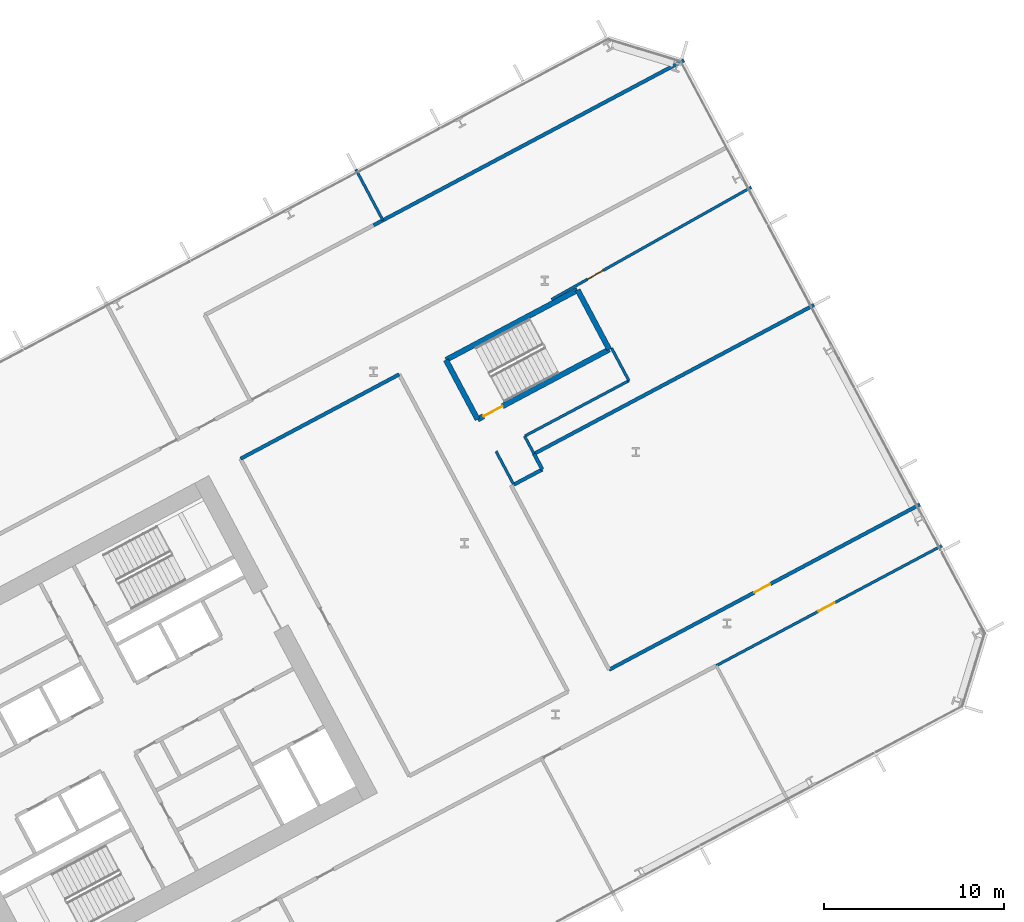
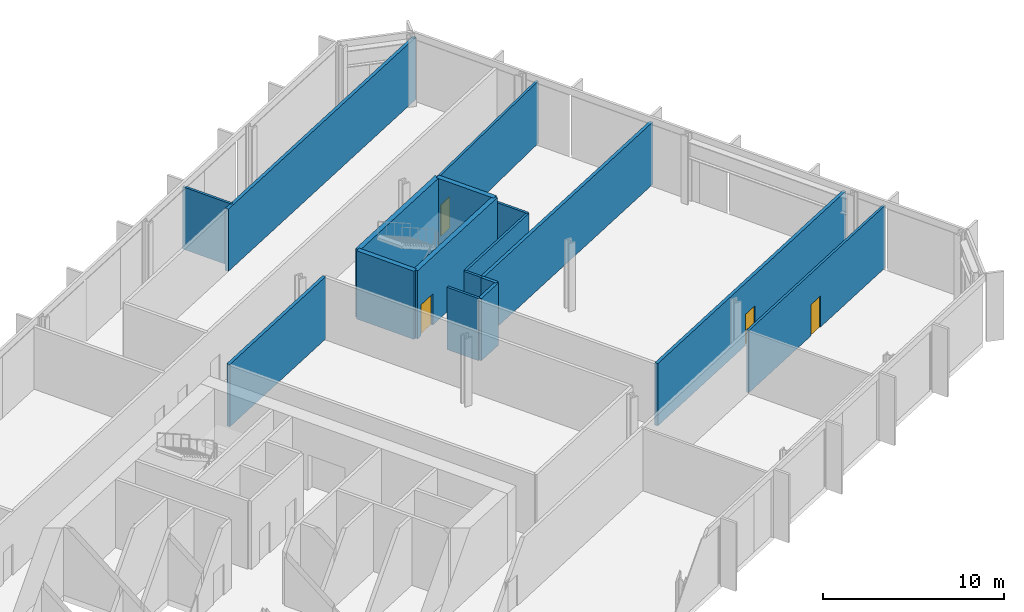
# One storey, part 19 of 31: 17 walls, 4 doors, 4 openings.
"""IFC4 building model written with IfcOpenShell, lengths in metres."""

from ifc_helpers import new_model, si_unit, direction, frame, frame_2d, origin, place, context, subcontext, project, spatial, rectangle, extrude, material, layer, layer_set, type_object, element, fill, save


model = new_model("IFC4")

# Units and contexts
model_context = context("Model", 3, precision=1e-05, world=origin(), true_north=direction((0.0, 1.0)))
body_context = subcontext(model_context, "Body", "Model", "MODEL_VIEW")
ifc_project = project(units=[si_unit("LENGTHUNIT", "METRE"), si_unit("AREAUNIT", "SQUARE_METRE"), si_unit("VOLUMEUNIT", "CUBIC_METRE"), si_unit("PLANEANGLEUNIT", "RADIAN"), si_unit("MASSUNIT", "GRAM", prefix="KILO")], contexts=[model_context])

# Site, building, storey
site_placement = place(None, origin())
site = spatial("IfcSite", under=ifc_project, at=site_placement, CompositionType="ELEMENT")
building_placement = place(site_placement, origin())
building = spatial("IfcBuilding", under=site, at=building_placement, Name="Cormorant Relay Tower", CompositionType="ELEMENT")
storey_placement = place(building_placement, frame((0.0, 0.0, 103.0)))
storey = spatial("IfcBuildingStorey", under=building, at=storey_placement, Name="L20", CompositionType="ELEMENT", Elevation=103.0)

# Walls
ifc_material_1 = material(Name="Fire-rated gypsum board partition")
ifc_layer_1 = layer(ifc_material_1, 0.199951171875)
ifc_layer_set_1 = layer_set([ifc_layer_1], Name="Fire-rated gypsum partition 200")
wall_type_1 = type_object("IfcWallType", Name="Fire-rated gypsum partition 200", PredefinedType="PARTITIONING", material=ifc_layer_set_1)
wall_1_placement = place(storey_placement, frame((38.028076171875, 40.60693359375, 0.0), z_axis=(0.0, 0.0, 1.0), x_axis=(0.882955326711, 0.469457017237, 0.0)))
element("IfcWall", 1, at=wall_1_placement, inside=storey, type_object=wall_type_1, Name="wall/L20/part/40", PredefinedType="PARTITIONING", context=body_context, shape_type="SweptSolid", body=[
    extrude(rectangle(XDim=19.576171875, YDim=0.199951171875, at=frame_2d((9.7880859375, 0.0))), origin(), (0.0, 0.0, 1.0), 4.199951171875),
])
wall_2_placement = place(storey_placement, frame((46.9580078125, 27.881103515625, 0.0), z_axis=(0.0, 0.0, 1.0), x_axis=(0.469300305861, -0.883038630479, 0.0)))
element("IfcWall", 2, at=wall_2_placement, inside=storey, type_object=wall_type_1, Name="wall/L20/part/44", PredefinedType="PARTITIONING", context=body_context, shape_type="SweptSolid", body=[
    extrude(rectangle(XDim=0.984375, YDim=0.199951171875, at=frame_2d((0.4921875, 0.0))), origin(), (0.0, 0.0, 1.0), 4.199951171875),
])
wall_3_placement = place(storey_placement, frame((47.419921875, 27.011962890625, 0.0), z_axis=(0.0, 0.0, 1.0), x_axis=(-0.88313680222, -0.46911553861, 0.0)))
element("IfcWall", 3, at=wall_3_placement, inside=storey, type_object=wall_type_1, Name="wall/L20/part/45", PredefinedType="PARTITIONING", context=body_context, shape_type="SweptSolid", body=[
    extrude(rectangle(XDim=1.799072265625, YDim=0.199951171875, at=frame_2d((0.8994140625, 0.0))), origin(), (0.0, 0.0, 1.0), 4.199951171875),
])
wall_4_placement = place(storey_placement, frame((62.5419921875, 36.166015625, 0.0), z_axis=(0.0, 0.0, 1.0), x_axis=(-0.8829766993, -0.469416817438, 0.0)))
element("IfcWall", 4, at=wall_4_placement, inside=storey, type_object=wall_type_1, Name="wall/L20/part/49", PredefinedType="PARTITIONING", context=body_context, shape_type="SweptSolid", body=[
    extrude(rectangle(XDim=17.6494140625, YDim=0.199951171875, at=frame_2d((8.82470703125, 0.0))), origin(), (0.0, 0.0, 1.0), 4.199951171875),
])

# Wall, opening, door
wall_5_placement = place(storey_placement, frame((51.137939453125, 15.864990234375, 0.0), z_axis=(0.0, 0.0, 1.0), x_axis=(0.882966979162, 0.469435100636, 0.0)))
wall_5 = element("IfcWall", 5, at=wall_5_placement, inside=storey, type_object=wall_type_1, Name="wall/L20/part/50", PredefinedType="PARTITIONING", context=body_context, shape_type="SweptSolid", body=[
    extrude(rectangle(XDim=19.60009765625, YDim=0.199951171875, at=frame_2d((9.800048828125, 0.0))), origin(), (0.0, 0.0, 1.0), 4.199951171875),
])
opening_1_placement = place(wall_5_placement, frame((9.14990234375, 0.0, 0.0)))
opening_1 = element("IfcOpeningElement", 6, at=opening_1_placement, cuts=wall_5, Name="Opening FD1-109", PredefinedType="OPENING", context=body_context, shape_type="SweptSolid", body=[
    extrude(rectangle(XDim=1.0, YDim=2.10009765625, at=frame_2d((0.5, 1.050048828125))), frame((0.0, 0.10986328125, 0.0), z_axis=(0.0, -1.0, 0.0), x_axis=(1.0, 0.0, 0.0)), (0.0, 0.0, 1.0), 0.219970703125),
])
ifc_material_2 = material(Name="Fire-rated steel door", Category="steel")
door_type_1 = type_object("IfcDoorType", Name="Fire door 1000 x 2100", OperationType="SINGLE_SWING_LEFT", PredefinedType="DOOR", material=ifc_material_2)
door_1_placement = place(opening_1_placement, origin())
door_1 = element("IfcDoor", 7, at=door_1_placement, inside=storey, type_object=door_type_1, Name="door/L20/22", OperationType="SINGLE_SWING_LEFT", OverallHeight=2.10009765625, OverallWidth=1.0, PredefinedType="DOOR", context=body_context, shape_type="SweptSolid", body=[
    extrude(rectangle(XDim=1.0, YDim=2.10009765625, at=frame_2d((0.5, 1.050048828125))), frame((0.0, 0.02490234375, 0.0), z_axis=(0.0, -1.0, 0.0), x_axis=(1.0, 0.0, 0.0)), (0.0, 0.0, 1.0), 0.050048828125),
])
fill(opening_1, door_1)

# Walls
wall_6_placement = place(storey_placement, frame((30.623046875, 27.60791015625, 0.0), z_axis=(0.0, 0.0, 1.0), x_axis=(0.882940863385, 0.469484218867, 0.0)))
element("IfcWall", 8, at=wall_6_placement, inside=storey, type_object=wall_type_1, Name="wall/L20/part/65", PredefinedType="PARTITIONING", context=body_context, shape_type="SweptSolid", body=[
    extrude(rectangle(XDim=10.00048828125, YDim=0.199951171875, at=frame_2d((5.000244140625, 0.0))), origin(), (0.0, 0.0, 1.0), 4.199951171875),
])
ifc_material_3 = material(Name="Gypsum board partition")
ifc_layer_2 = layer(ifc_material_3, 0.14990234375)
ifc_layer_set_2 = layer_set([ifc_layer_2], Name="Gypsum board partition 150")
wall_type_2 = type_object("IfcWallType", Name="Gypsum board partition 150", PredefinedType="PARTITIONING", material=ifc_layer_set_2)
wall_7_placement = place(storey_placement, frame((37.0439453125, 43.70703125, 0.0), z_axis=(0.0, 0.0, 1.0), x_axis=(0.469447181805, -0.882960556025, 0.0)))
element("IfcWall", 9, at=wall_7_placement, inside=storey, type_object=wall_type_2, Name="wall/L20/part/39", PredefinedType="PARTITIONING", context=body_context, shape_type="SweptSolid", body=[
    extrude(rectangle(XDim=3.199462890625, YDim=0.14990234375, at=frame_2d((1.599609375, 0.0))), origin(), (0.0, 0.0, 1.0), 4.199951171875),
])

# Wall, opening, door
wall_8_placement = place(storey_placement, frame((59.053955078125, 42.72509765625, 0.0), z_axis=(0.0, 0.0, 1.0), x_axis=(-0.871718625081, -0.490006774124, 0.0)))
wall_8 = element("IfcWall", 10, at=wall_8_placement, inside=storey, type_object=wall_type_2, Name="wall/L20/part/41", PredefinedType="PARTITIONING", context=body_context, shape_type="SweptSolid", body=[
    extrude(rectangle(XDim=12.75537109375, YDim=0.14990234375, at=frame_2d((6.377685546875, 0.0))), origin(), (0.0, 0.0, 1.0), 4.199951171875),
])
opening_2_placement = place(wall_8_placement, frame((9.468017578125, 0.0, 0.0)))
opening_2 = element("IfcOpeningElement", 11, at=opening_2_placement, cuts=wall_8, Name="Opening D1-046", PredefinedType="OPENING", context=body_context, shape_type="SweptSolid", body=[
    extrude(rectangle(XDim=1.0, YDim=2.10009765625, at=frame_2d((0.5, 1.050048828125))), frame((0.0, 0.0849609375, 0.0), z_axis=(0.0, -1.0, 0.0), x_axis=(1.0, 0.0, 0.0)), (0.0, 0.0, 1.0), 0.169921875),
])
ifc_material_4 = material(Name="Painted steel door", Category="steel")
door_type_2 = type_object("IfcDoorType", Name="Single door 1000 x 2100", OperationType="SINGLE_SWING_LEFT", PredefinedType="DOOR", material=ifc_material_4)
door_2_placement = place(opening_2_placement, origin())
door_2 = element("IfcDoor", 12, at=door_2_placement, inside=storey, type_object=door_type_2, Name="door/L20/23", OperationType="SINGLE_SWING_RIGHT", OverallHeight=2.10009765625, OverallWidth=1.0, PredefinedType="DOOR", context=body_context, shape_type="SweptSolid", body=[
    extrude(rectangle(XDim=1.0, YDim=2.10009765625, at=frame_2d((0.5, 1.050048828125))), frame((0.0, 0.02490234375, 0.0), z_axis=(0.0, -1.0, 0.0), x_axis=(1.0, 0.0, 0.0)), (0.0, 0.0, 1.0), 0.050048828125),
])
fill(opening_2, door_2)

# Walls
wall_9_placement = place(storey_placement, frame((45.811279296875, 26.2021484375, 0.0), z_axis=(0.0, 0.0, 1.0), x_axis=(-0.469172559653, 0.883106510716, 0.0)))
element("IfcWall", 13, at=wall_9_placement, inside=storey, type_object=wall_type_2, Name="wall/L20/part/42", PredefinedType="PARTITIONING", context=body_context, shape_type="SweptSolid", body=[
    extrude(rectangle(XDim=2.0595703125, YDim=0.14990234375, at=frame_2d((1.02978515625, 0.0))), origin(), (0.0, 0.0, 1.0), 4.199951171875),
])
wall_10_placement = place(storey_placement, frame((52.239013671875, 31.952880859375, 0.0), z_axis=(0.0, 0.0, 1.0), x_axis=(-0.882908561856, -0.469544962065, 0.0)))
element("IfcWall", 14, at=wall_10_placement, inside=storey, type_object=wall_type_2, Name="wall/L20/part/46", PredefinedType="PARTITIONING", context=body_context, shape_type="SweptSolid", body=[
    extrude(rectangle(XDim=6.548828125, YDim=0.14990234375, at=frame_2d((3.2744140625, 0.0))), origin(), (0.0, 0.0, 1.0), 4.199951171875),
])
wall_11_placement = place(storey_placement, frame((52.239013671875, 31.952880859375, 0.0), z_axis=(0.0, 0.0, 1.0), x_axis=(-0.469697898274, 0.882827210929, 0.0)))
element("IfcWall", 15, at=wall_11_placement, inside=storey, type_object=wall_type_2, Name="wall/L20/part/47", PredefinedType="PARTITIONING", context=body_context, shape_type="SweptSolid", body=[
    extrude(rectangle(XDim=2.050048828125, YDim=0.14990234375, at=frame_2d((1.02490234375, 0.0))), origin(), (0.0, 0.0, 1.0), 4.199951171875),
])
wall_12_placement = place(storey_placement, frame((46.43408203125, 28.865966796875, 0.0), z_axis=(0.0, 0.0, 1.0), x_axis=(0.469656526593, -0.882849221005, 0.0)))
element("IfcWall", 16, at=wall_12_placement, inside=storey, type_object=wall_type_2, Name="wall/L20/part/48", PredefinedType="PARTITIONING", context=body_context, shape_type="SweptSolid", body=[
    extrude(rectangle(XDim=1.115478515625, YDim=0.14990234375, at=frame_2d((0.5576171875, 0.0))), origin(), (0.0, 0.0, 1.0), 4.199951171875),
])

# Wall, opening, door
wall_13_placement = place(storey_placement, frame((57.10498046875, 16.093017578125, 0.0), z_axis=(0.0, 0.0, 1.0), x_axis=(0.882869815227, 0.469617812015, 0.0)))
wall_13 = element("IfcWall", 17, at=wall_13_placement, inside=storey, type_object=wall_type_2, Name="wall/L20/part/52", PredefinedType="PARTITIONING", context=body_context, shape_type="SweptSolid", body=[
    extrude(rectangle(XDim=14.22412109375, YDim=0.14990234375, at=frame_2d((7.112060546875, 0.0))), origin(), (0.0, 0.0, 1.0), 4.199951171875),
])
opening_3_placement = place(wall_13_placement, frame((6.449951171875, 0.0, 0.0)))
opening_3 = element("IfcOpeningElement", 18, at=opening_3_placement, cuts=wall_13, Name="Opening D1-045", PredefinedType="OPENING", context=body_context, shape_type="SweptSolid", body=[
    extrude(rectangle(XDim=1.0, YDim=2.10009765625, at=frame_2d((0.5, 1.050048828125))), frame((0.0, 0.0849609375, 0.0), z_axis=(0.0, -1.0, 0.0), x_axis=(1.0, 0.0, 0.0)), (0.0, 0.0, 1.0), 0.169921875),
])
door_3_placement = place(opening_3_placement, frame((1.0, 0.0, 0.0), z_axis=(0.0, 0.0, 1.0), x_axis=(-1.0, 0.0, 0.0)))
door_3 = element("IfcDoor", 19, at=door_3_placement, inside=storey, type_object=door_type_2, Name="door/L20/16", OperationType="SINGLE_SWING_RIGHT", OverallHeight=2.10009765625, OverallWidth=1.0, PredefinedType="DOOR", context=body_context, shape_type="SweptSolid", body=[
    extrude(rectangle(XDim=1.0, YDim=2.10009765625, at=frame_2d((0.5, 1.050048828125))), frame((0.0, 0.02490234375, 0.0), z_axis=(0.0, -1.0, 0.0), x_axis=(1.0, 0.0, 0.0)), (0.0, 0.0, 1.0), 0.050048828125),
])
fill(opening_3, door_3)

# Wall
ifc_material_5 = material(Name="Concrete 50 MPa", Category="concrete")
ifc_layer_3 = layer(ifc_material_5, 0.300048828125)
ifc_layer_set_3 = layer_set([ifc_layer_3], Name="Remote stair wall 300")
wall_type_3 = type_object("IfcWallType", Name="Remote stair wall 300", PredefinedType="SHEAR", material=ifc_layer_set_3)
wall_14_placement = place(storey_placement, frame((49.384033203125, 37.00390625, 0.0), z_axis=(0.0, 0.0, 1.0), x_axis=(0.46946936446, -0.882948761726, 0.0)))
element("IfcWall", 20, at=wall_14_placement, inside=storey, type_object=wall_type_3, Name="L20 exit stair RB1 wall", PredefinedType="SHEAR", context=body_context, shape_type="SweptSolid", body=[
    extrude(rectangle(XDim=3.75, YDim=0.300048828125, at=frame_2d((1.875, 0.0))), origin(), (0.0, 0.0, 1.0), 4.60009765625),
])

# Wall, opening, door
wall_15_placement = place(storey_placement, frame((51.14453125, 33.69287109375, 0.0), z_axis=(0.0, 0.0, 1.0), x_axis=(-0.882945809314, -0.469474917132, 0.0)))
wall_15 = element("IfcWall", 21, at=wall_15_placement, inside=storey, type_object=wall_type_3, Name="L20 exit stair RB1 wall", PredefinedType="SHEAR", context=body_context, shape_type="SweptSolid", body=[
    extrude(rectangle(XDim=8.30029296875, YDim=0.300048828125, at=frame_2d((4.150146484375, 0.0))), origin(), (0.0, 0.0, 1.0), 4.60009765625),
])
opening_4_placement = place(wall_15_placement, frame((6.72509765625, 0.0, 0.0)))
opening_4 = element("IfcOpeningElement", 22, at=opening_4_placement, cuts=wall_15, Name="Opening CDB-028", PredefinedType="OPENING", context=body_context, shape_type="SweptSolid", body=[
    extrude(rectangle(XDim=1.199951171875, YDim=2.10009765625, at=frame_2d((0.60009765625, 1.050048828125))), frame((0.0, 0.159912109375, 0.0), z_axis=(0.0, -1.0, 0.0), x_axis=(1.0, 0.0, 0.0)), (0.0, 0.0, 1.0), 0.320068359375),
])
ifc_material_6 = material(Name="Steel fire door", Category="steel")
door_type_3 = type_object("IfcDoorType", Name="Core stair door 1200x2100", OperationType="SINGLE_SWING_LEFT", PredefinedType="DOOR", material=ifc_material_6)
door_4_placement = place(opening_4_placement, frame((1.199951171875, 0.0, 0.0), z_axis=(0.0, 0.0, 1.0), x_axis=(-1.0, 0.0, 0.0)))
door_4 = element("IfcDoor", 23, at=door_4_placement, inside=storey, type_object=door_type_3, Name="Exit stair RB1 door", OperationType="SINGLE_SWING_LEFT", OverallHeight=2.10009765625, OverallWidth=1.199951171875, PredefinedType="DOOR", context=body_context, shape_type="SweptSolid", body=[
    extrude(rectangle(XDim=1.199951171875, YDim=2.10009765625, at=frame_2d((0.60009765625, 1.050048828125))), frame((0.0, 0.02490234375, 0.0), z_axis=(0.0, -1.0, 0.0), x_axis=(1.0, 0.0, 0.0)), (0.0, 0.0, 1.0), 0.050048828125),
])
fill(opening_4, door_4)

# Walls
wall_16_placement = place(storey_placement, frame((43.81591796875, 29.796142578125, 0.0), z_axis=(0.0, 0.0, 1.0), x_axis=(-0.46946936446, 0.882948761726, 0.0)))
element("IfcWall", 24, at=wall_16_placement, inside=storey, type_object=wall_type_3, Name="L20 exit stair RB1 wall", PredefinedType="SHEAR", context=body_context, shape_type="SweptSolid", body=[
    extrude(rectangle(XDim=3.75, YDim=0.300048828125, at=frame_2d((1.875, 0.0))), origin(), (0.0, 0.0, 1.0), 4.60009765625),
])
wall_17_placement = place(storey_placement, frame((42.055419921875, 33.107177734375, 0.0), z_axis=(0.0, 0.0, 1.0), x_axis=(0.882945809314, 0.469474917132, 0.0)))
element("IfcWall", 25, at=wall_17_placement, inside=storey, type_object=wall_type_3, Name="L20 exit stair RB1 wall", PredefinedType="SHEAR", context=body_context, shape_type="SweptSolid", body=[
    extrude(rectangle(XDim=8.30029296875, YDim=0.300048828125, at=frame_2d((4.150146484375, 0.0))), origin(), (0.0, 0.0, 1.0), 4.60009765625),
])

save(model, "model.ifc")
